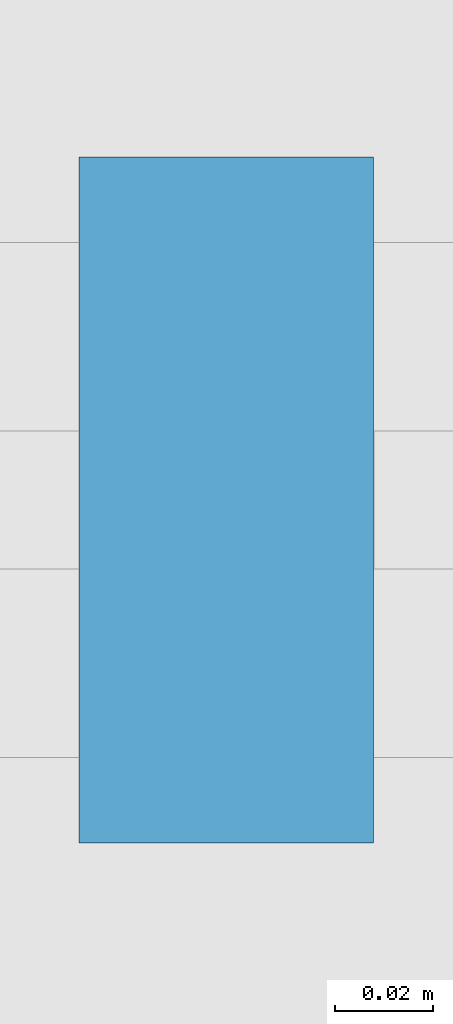
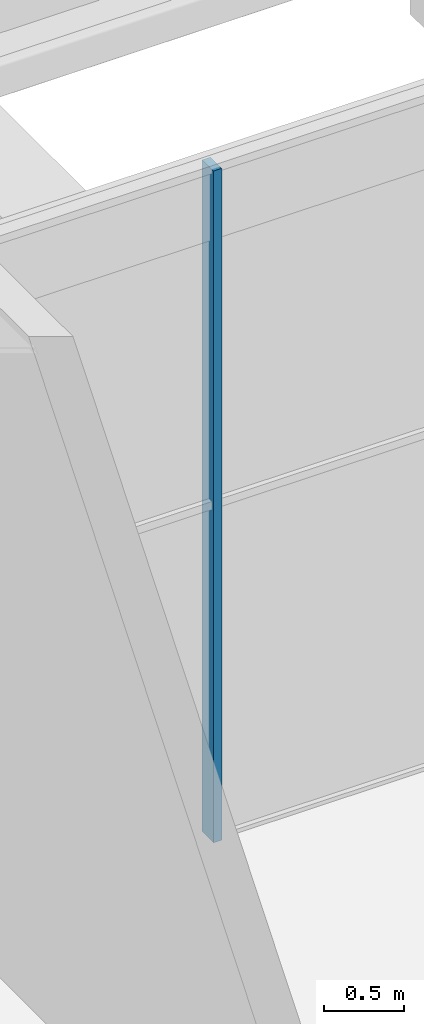
# One storey, part 23 of 82: 1 member, 1 element without a shape of its own.
"""IFC4 building model written with IfcOpenShell, lengths in metres."""

from ifc_helpers import new_model, si_unit, derived_unit, direction, frame, origin, origin_2d, place, context, subcontext, project, spatial, rectangle, extrude, material, material_profile, profile_set, type_object, element, aggregate, save


model = new_model("IFC4")

# Units and contexts
model_context = context("Model", 3, precision=1e-05, world=origin(), true_north=direction((0.0, 1.0)))
body_context = subcontext(model_context, "Body", "Model", "MODEL_VIEW")
ifc_project = project(units=[si_unit("LENGTHUNIT", "METRE"), si_unit("AREAUNIT", "SQUARE_METRE"), si_unit("VOLUMEUNIT", "CUBIC_METRE"), si_unit("PLANEANGLEUNIT", "RADIAN"), si_unit("MASSUNIT", "GRAM", prefix="KILO"), derived_unit("THERMALTRANSMITTANCEUNIT", [(si_unit("POWERUNIT", "WATT"), 1), (si_unit("LENGTHUNIT", "METRE"), -2), (si_unit("THERMODYNAMICTEMPERATUREUNIT", "KELVIN"), -1)])], contexts=[model_context])

# Site, building, storey
site_placement = place(None, origin())
site = spatial("IfcSite", under=ifc_project, at=site_placement, CompositionType="ELEMENT")
building_placement = place(site_placement, origin())
building = spatial("IfcBuilding", under=site, at=building_placement, Name="Barrovel Congress Hotel", CompositionType="ELEMENT")
storey_placement = place(building_placement, origin())
storey = spatial("IfcBuildingStorey", under=building, at=storey_placement, Name="L00", CompositionType="ELEMENT", Elevation=0.0)

# Curtain wall, member
ifc_material = material(Name="Anodised Aluminium Alloy 6063-T6", Category="aluminium")
curtain_wall_type = type_object("IfcCurtainWallType", Name="CW-ST-7200x4800", PredefinedType="USERDEFINED", material=ifc_material)
curtain_wall_placement = place(storey_placement, origin())
curtain_wall = element("IfcCurtainWall", 1, at=curtain_wall_placement, inside=storey, type_object=curtain_wall_type, Name="CW:L00:CS:07", ObjectType="STICK CURTAIN WALL", PredefinedType="USERDEFINED")
ifc_material_profile = material_profile(ifc_material, rectangle(XDim=0.06005859375, YDim=0.139892578125, at=origin_2d()), Name="AL-M60x140")
ifc_profile_set = profile_set([ifc_material_profile], Name="Anodised Aluminium Alloy 6063-T6")
member_type = type_object("IfcMemberType", Name="CWM-AL-M60x140", PredefinedType="MULLION", material=ifc_profile_set)
member_placement = place(storey_placement, frame((61.199951171875, 29.39990234375, 0.0), z_axis=(0.0, 0.0, 1.0), x_axis=(1.0, 0.0, 0.0)))
member = element("IfcMember", 2, at=member_placement, type_object=member_type, Name="CW:L00:CS:07:M3", PredefinedType="MULLION", context=body_context, shape_type="SweptSolid", body=[
    extrude(rectangle(XDim=0.06005859375, YDim=0.139892578125, at=origin_2d()), origin(), (0.0, 0.0, 1.0), 5.1201171875),
])
aggregate(curtain_wall, [member])

save(model, "model.ifc")
